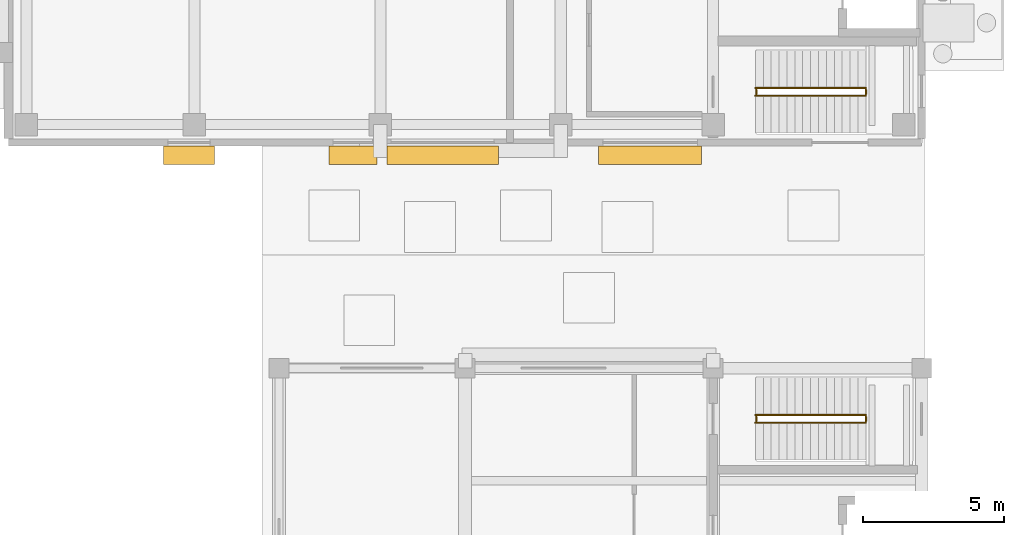
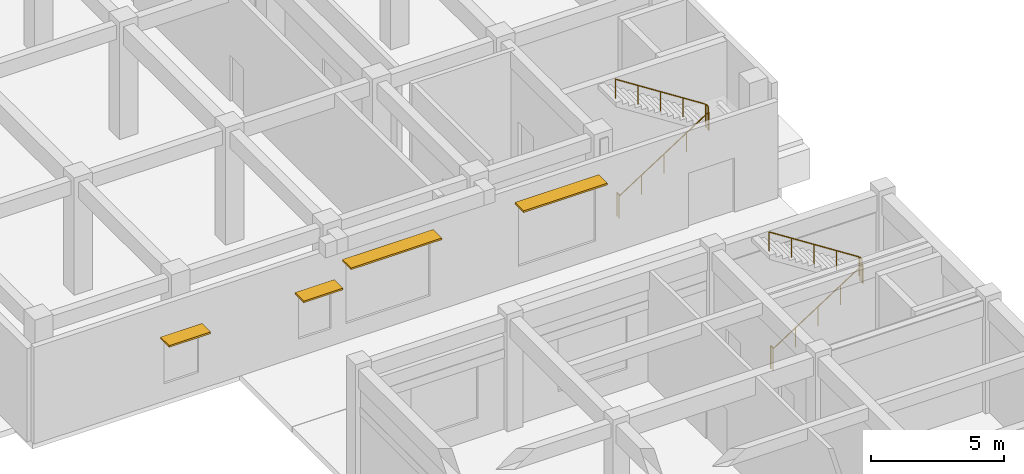
# One storey, part 45 of 46: 8 railings, 4 shading devices.
"""IFC4 building model written with IfcOpenShell, lengths in metres."""

import ifcopenshell
import ifcopenshell.guid

model = None  # the IFC model being written
_history = None  # IfcOwnerHistory: only IFC2X3 demands one
_inside = {}  # id of a spatial element -> (the spatial element, [elements in it])
_under = {}  # id of a project, library or spatial element -> (it, [spatial elements below it])
_declared = {}  # id of a project -> (the project, [libraries it declares])
_typed = {}  # id of a type object -> (the type object, [elements of that type])
_made_of = {}  # id of a material, layer set ... -> (it, [elements and type objects made of it])


def new_model(schema):
    """Start an empty IFC model of exactly this schema.

    Asked for "IFC4X3", IfcOpenShell would pick the latest addendum, in which some entities
    have other attributes; the version numbers below select the first issue.
    IFC2X3 requires an IfcOwnerHistory on every rooted entity: one is made here for all.
    """
    global model, _history
    if schema == "IFC4X3":
        model = ifcopenshell.file(schema_version=(4, 3, 0, 0))
    else:
        model = ifcopenshell.file(schema=schema)
    _inside.clear()
    _under.clear()
    _declared.clear()
    _typed.clear()
    _made_of.clear()
    _history = None
    if model.schema == "IFC2X3":
        org = make("IfcOrganization", Name="unknown")
        user = make(
            "IfcPersonAndOrganization",
            ThePerson=make("IfcPerson", FamilyName="unknown"),
            TheOrganization=org,
        )
        app = make(
            "IfcApplication",
            ApplicationDeveloper=org,
            Version="unknown",
            ApplicationFullName="unknown",
            ApplicationIdentifier="unknown",
        )
        _history = make(
            "IfcOwnerHistory",
            OwningUser=user,
            OwningApplication=app,
            ChangeAction="ADDED",
            CreationDate=0,
        )
    return model


def make(cls, **values):
    """One entity of the class cls with the attributes given. An attribute that is None is left unset."""
    return model.create_entity(
        cls, **{name: value for name, value in values.items() if value is not None}
    )


def rooted(cls, **values):
    """An entity with a GlobalId (a new one), such as an element, a storey or a relation."""
    return make(cls, GlobalId=ifcopenshell.guid.new(), OwnerHistory=_history, **values)


def si_unit(unit_type, name, prefix=None):
    """IfcSIUnit, for example si_unit("LENGTHUNIT", "METRE", prefix="MILLI")."""
    return make("IfcSIUnit", UnitType=unit_type, Prefix=prefix, Name=name)


def assignment(units):
    """IfcUnitAssignment: the units of a project."""
    return None if units is None else make("IfcUnitAssignment", Units=units)


def point(xyz):
    """IfcCartesianPoint."""
    return None if xyz is None else make("IfcCartesianPoint", Coordinates=xyz)


def direction(xyz):
    """IfcDirection."""
    return None if xyz is None else make("IfcDirection", DirectionRatios=xyz)


def frame(location, z_axis=None, x_axis=None):
    """IfcAxis2Placement3D, a coordinate frame: its origin and axes. An axis left out is left unset."""
    return make(
        "IfcAxis2Placement3D",
        Location=point(location),
        Axis=direction(z_axis),
        RefDirection=direction(x_axis),
    )


def frame_2d(location, x_axis=None):
    """IfcAxis2Placement2D, a coordinate frame in the plane: its origin and x axis."""
    return make(
        "IfcAxis2Placement2D", Location=point(location), RefDirection=direction(x_axis)
    )


def origin():
    """The frame at (0, 0, 0) with its axes left unset."""
    return frame((0.0, 0.0, 0.0))


def origin_2d():
    """The frame at (0, 0) in the plane with its x axis left unset."""
    return frame_2d((0.0, 0.0))


def place(relative_to, where):
    """IfcLocalPlacement: puts the frame where relative to a parent placement (None: the world)."""
    return make(
        "IfcLocalPlacement", PlacementRelTo=relative_to, RelativePlacement=where
    )


def context(
    kind, dimensions, precision=None, world=None, true_north=None, identifier=None
):
    """IfcGeometricRepresentationContext, for example the 3D "Model" context."""
    return make(
        "IfcGeometricRepresentationContext",
        ContextIdentifier=identifier,
        ContextType=kind,
        CoordinateSpaceDimension=dimensions,
        Precision=precision,
        WorldCoordinateSystem=world,
        TrueNorth=true_north,
    )


def subcontext(parent, identifier, kind, view, scale=None):
    """IfcGeometricRepresentationSubContext, for example "Body" below "Model"."""
    return make(
        "IfcGeometricRepresentationSubContext",
        ContextIdentifier=identifier,
        ContextType=kind,
        ParentContext=parent,
        TargetScale=scale,
        TargetView=view,
    )


def project(units=None, contexts=None):
    """IfcProject with its units and contexts."""
    return rooted(
        "IfcProject",
        Name="project",
        RepresentationContexts=contexts,
        UnitsInContext=assignment(units),
    )


def spatial(cls, under=None, at=None, **own):
    """A site, building, storey or space (cls), placed at a placement, below another one or the project."""
    s = rooted(cls, ObjectPlacement=at, **own)
    if under is not None:
        _under.setdefault(under.id(), (under, []))[1].append(s)
    return s


def profile(cls, at=None, kind="AREA", **sizes):
    """A parametric profile (cls). Its sizes go by their IFC names, for example OverallWidth=200.0."""
    return make(cls, ProfileType=kind, Position=at, **sizes)


def rectangle(**sizes):
    """IfcRectangleProfileDef."""
    return profile("IfcRectangleProfileDef", **sizes)


def circle(**sizes):
    """IfcCircleProfileDef."""
    return profile("IfcCircleProfileDef", **sizes)


def extrude(swept, where, along, depth):
    """IfcExtrudedAreaSolid: the profile swept, set in the frame where, extruded along a direction by depth."""
    return make(
        "IfcExtrudedAreaSolid",
        SweptArea=swept,
        Position=where,
        ExtrudedDirection=direction(along),
        Depth=depth,
    )


def shape(context_of_items, identifier, shape_type, items):
    """IfcShapeRepresentation: the items that make up one representation, for example the "Body"."""
    return make(
        "IfcShapeRepresentation",
        ContextOfItems=context_of_items,
        RepresentationIdentifier=identifier,
        RepresentationType=shape_type,
        Items=items,
    )


def material(Name=None, Category=None):
    """IfcMaterial."""
    return make("IfcMaterial", Name=Name, Category=Category)


def made_of(thing, what):
    """Note that an element or type object is made of a material, layer set ...; save() writes the relation."""
    if what is not None:
        _made_of.setdefault(what.id(), (what, []))[1].append(thing)
    return thing


def type_object(cls, material=None, **own):
    """A type object (cls), such as IfcWallType, which elements share."""
    return made_of(rooted(cls, **own), material)


def element(
    cls,
    number,
    at=None,
    inside=None,
    cuts=None,
    type_object=None,
    material=None,
    context=None,
    identifier="Body",
    shape_type=None,
    held_by="IfcProductDefinitionShape",
    body=None,
    shapes=None,
    **own,
):
    """One element of the class cls, such as IfcWall. Its Tag is "e" and its number.

    at: its placement. inside: the storey or other place that contains it. cuts: it is an
    opening in that element (IfcRelVoidsElement). A single representation is given by context,
    identifier, shape_type and body (its items); several are given by shapes. held_by: the class
    of the entity that holds the representations. save() writes the other relations.
    """
    e = rooted(cls, Tag="e%d" % number, ObjectPlacement=at, **own)
    if body is not None:
        shapes = [shape(context, identifier, shape_type, body)]
    if shapes is not None:
        e.Representation = make(held_by, Representations=shapes)
    if inside is not None:
        _inside.setdefault(inside.id(), (inside, []))[1].append(e)
    if cuts is not None:
        rooted(
            "IfcRelVoidsElement", RelatingBuildingElement=cuts, RelatedOpeningElement=e
        )
    if type_object is not None:
        _typed.setdefault(type_object.id(), (type_object, []))[1].append(e)
    return made_of(e, material)


def aggregate(whole, parts):
    """IfcRelAggregates: a whole, such as a stair, and the parts it consists of."""
    return rooted("IfcRelAggregates", RelatingObject=whole, RelatedObjects=parts)


def save(model, path):
    """Write the relations noted so far, then the file.

    IfcRelAggregates (storeys below a building ...), IfcRelContainedInSpatialStructure (elements
    in a storey), IfcRelDefinesByType, IfcRelAssociatesMaterial and IfcRelDeclares: one each for
    every whole, place, type object, material and project.
    """
    for whole, parts in _under.values():
        aggregate(whole, parts)
    for where, things in _inside.values():
        rooted(
            "IfcRelContainedInSpatialStructure",
            RelatedElements=things,
            RelatingStructure=where,
        )
    for kind, things in _typed.values():
        rooted("IfcRelDefinesByType", RelatedObjects=things, RelatingType=kind)
    for what, things in _made_of.values():
        rooted("IfcRelAssociatesMaterial", RelatedObjects=things, RelatingMaterial=what)
    for by, libraries in _declared.values():
        rooted("IfcRelDeclares", RelatingContext=by, RelatedDefinitions=libraries)
    model.write(path)


model = new_model("IFC4")

# Units and contexts
model_context = context("Model", 3, precision=1e-05, world=origin(), true_north=direction((0.0, 1.0)))
body_context = subcontext(model_context, "Body", "Model", "MODEL_VIEW")
ifc_project = project(units=[si_unit("LENGTHUNIT", "METRE"), si_unit("AREAUNIT", "SQUARE_METRE"), si_unit("VOLUMEUNIT", "CUBIC_METRE"), si_unit("PLANEANGLEUNIT", "RADIAN"), si_unit("MASSUNIT", "GRAM", prefix="KILO")], contexts=[model_context])

# Site, building, storey
site_placement = place(None, origin())
site = spatial("IfcSite", under=ifc_project, at=site_placement, CompositionType="ELEMENT")
building_placement = place(site_placement, origin())
building = spatial("IfcBuilding", under=site, at=building_placement, Name="Cinchona Park Media Centre", CompositionType="ELEMENT")
storey_placement = place(building_placement, origin())
storey = spatial("IfcBuildingStorey", under=building, at=storey_placement, Name="L00", CompositionType="ELEMENT", Elevation=0.0)

# Railings
ifc_material_1 = material(Name="Painted Steel Stairwell Guardrail", Category="steel")
railing_type_1 = type_object("IfcRailingType", Name="RAILING-GR02", PredefinedType="GUARDRAIL", material=ifc_material_1)
for number, where, name in (
    (1, (166.135009765625, 73.320068359375, 0.0), "Stairwell Guardrail GR02 ST1 L00"),
    (2, (170.02001953125, 73.320068359375, 2.699951171875), "Half-Landing Guardrail GR02 ST1 L00"),
    (3, (166.135009765625, 61.719970703125, 0.0), "Stairwell Guardrail GR02 ST7 L00"),
    (4, (170.02001953125, 61.719970703125, 2.699951171875), "Half-Landing Guardrail GR02 ST7 L00"),
):
    element("IfcRailing", number, at=place(storey_placement, frame(where)), inside=storey, type_object=railing_type_1, Name=name, PredefinedType="GUARDRAIL", context=body_context, shape_type="SweptSolid", body=[
        extrude(circle(Radius=0.02392578125, at=origin_2d()), frame((0.0, 0.0, 1.076171875), z_axis=(0.0, 1.0, 0.0), x_axis=(-1.0, 0.0, 0.0)), (0.0, 0.0, 1.0), 0.159912109375),
        extrude(circle(Radius=0.02099609375, at=origin_2d()), origin(), (0.0, 0.0, 1.0), 1.052001953125),
        extrude(circle(Radius=0.02099609375, at=origin_2d()), frame((0.0, 0.159912109375, 0.0)), (0.0, 0.0, 1.0), 1.052001953125),
    ])
ifc_material_2 = material(Name="Brushed Stainless Steel Handrail", Category="steel")
railing_type_2 = type_object("IfcRailingType", Name="RAILING-HR01", PredefinedType="HANDRAIL", material=ifc_material_2)
railing_1_placement = place(storey_placement, frame((166.10009765625, 73.260009765625, 0.179931640625)))
element("IfcRailing", 5, at=railing_1_placement, inside=storey, type_object=railing_type_2, Name="Stair Handrail HR01 ST1 L00 F1", PredefinedType="HANDRAIL", context=body_context, shape_type="SweptSolid", body=[
    extrude(circle(Radius=0.02392578125, at=origin_2d()), frame((0.0, 0.0, 0.8759765625), z_axis=(0.841171666519, 0.0, 0.540768182723), x_axis=(0.0, 1.0, 0.0)), (0.0, 0.0, 1.0), 4.66015625),
    extrude(circle(Radius=0.02099609375, at=origin_2d()), origin(), (0.0, 0.0, 1.0), 0.851806640625),
    extrude(circle(Radius=0.02099609375, at=origin_2d()), frame((0.97998046875, 0.0, 0.6298828125)), (0.0, 0.0, 1.0), 0.851806640625),
    extrude(circle(Radius=0.02099609375, at=origin_2d()), frame((1.9599609375, 0.0, 1.260009765625)), (0.0, 0.0, 1.0), 0.851806640625),
    extrude(circle(Radius=0.02099609375, at=origin_2d()), frame((2.93994140625, 0.0, 1.89013671875)), (0.0, 0.0, 1.0), 0.851806640625),
    extrude(circle(Radius=0.02099609375, at=origin_2d()), frame((3.919921875, 0.0, 2.52001953125)), (0.0, 0.0, 1.0), 0.851806640625),
])
railing_2_placement = place(storey_placement, frame((170.02001953125, 73.5400390625, 2.8798828125)))
element("IfcRailing", 6, at=railing_2_placement, inside=storey, type_object=railing_type_2, Name="Stair Handrail HR01 ST1 L00 F2", PredefinedType="HANDRAIL", context=body_context, shape_type="SweptSolid", body=[
    extrude(circle(Radius=0.02392578125, at=origin_2d()), frame((0.0, 0.0, 0.8759765625), z_axis=(-0.841171666519, 0.0, 0.540768182723), x_axis=(0.0, -1.0, 0.0)), (0.0, 0.0, 1.0), 4.66015625),
    extrude(circle(Radius=0.02099609375, at=origin_2d()), origin(), (0.0, 0.0, 1.0), 0.851806640625),
    extrude(circle(Radius=0.02099609375, at=origin_2d()), frame((-0.97998046875, 0.0, 0.6298828125)), (0.0, 0.0, 1.0), 0.851806640625),
    extrude(circle(Radius=0.02099609375, at=origin_2d()), frame((-1.9599609375, 0.0, 1.260009765625)), (0.0, 0.0, 1.0), 0.851806640625),
    extrude(circle(Radius=0.02099609375, at=origin_2d()), frame((-2.93994140625, 0.0, 1.89013671875)), (0.0, 0.0, 1.0), 0.851806640625),
    extrude(circle(Radius=0.02099609375, at=origin_2d()), frame((-3.919921875, 0.0, 2.52001953125)), (0.0, 0.0, 1.0), 0.851806640625),
])
railing_3_placement = place(storey_placement, frame((166.10009765625, 61.659912109375, 0.179931640625)))
element("IfcRailing", 7, at=railing_3_placement, inside=storey, type_object=railing_type_2, Name="Stair Handrail HR01 ST7 L00 F1", PredefinedType="HANDRAIL", context=body_context, shape_type="SweptSolid", body=[
    extrude(circle(Radius=0.02392578125, at=origin_2d()), frame((0.0, 0.0, 0.8759765625), z_axis=(0.841171666519, 0.0, 0.540768182723), x_axis=(0.0, 1.0, 0.0)), (0.0, 0.0, 1.0), 4.66015625),
    extrude(circle(Radius=0.02099609375, at=origin_2d()), origin(), (0.0, 0.0, 1.0), 0.851806640625),
    extrude(circle(Radius=0.02099609375, at=origin_2d()), frame((0.97998046875, 0.0, 0.6298828125)), (0.0, 0.0, 1.0), 0.851806640625),
    extrude(circle(Radius=0.02099609375, at=origin_2d()), frame((1.9599609375, 0.0, 1.260009765625)), (0.0, 0.0, 1.0), 0.851806640625),
    extrude(circle(Radius=0.02099609375, at=origin_2d()), frame((2.93994140625, 0.0, 1.89013671875)), (0.0, 0.0, 1.0), 0.851806640625),
    extrude(circle(Radius=0.02099609375, at=origin_2d()), frame((3.919921875, 0.0, 2.52001953125)), (0.0, 0.0, 1.0), 0.851806640625),
])
railing_4_placement = place(storey_placement, frame((170.02001953125, 61.93994140625, 2.8798828125)))
element("IfcRailing", 8, at=railing_4_placement, inside=storey, type_object=railing_type_2, Name="Stair Handrail HR01 ST7 L00 F2", PredefinedType="HANDRAIL", context=body_context, shape_type="SweptSolid", body=[
    extrude(circle(Radius=0.02392578125, at=origin_2d()), frame((0.0, 0.0, 0.8759765625), z_axis=(-0.841171666519, 0.0, 0.540768182723), x_axis=(0.0, -1.0, 0.0)), (0.0, 0.0, 1.0), 4.66015625),
    extrude(circle(Radius=0.02099609375, at=origin_2d()), origin(), (0.0, 0.0, 1.0), 0.851806640625),
    extrude(circle(Radius=0.02099609375, at=origin_2d()), frame((-0.97998046875, 0.0, 0.6298828125)), (0.0, 0.0, 1.0), 0.851806640625),
    extrude(circle(Radius=0.02099609375, at=origin_2d()), frame((-1.9599609375, 0.0, 1.260009765625)), (0.0, 0.0, 1.0), 0.851806640625),
    extrude(circle(Radius=0.02099609375, at=origin_2d()), frame((-2.93994140625, 0.0, 1.89013671875)), (0.0, 0.0, 1.0), 0.851806640625),
    extrude(circle(Radius=0.02099609375, at=origin_2d()), frame((-3.919921875, 0.0, 2.52001953125)), (0.0, 0.0, 1.0), 0.851806640625),
])

# Shading devices
ifc_material_3 = material(Name="Anodised Aluminium Horizontal Brise-Soleil", Category="aluminium")
shading_device_type = type_object("IfcShadingDeviceType", Name="SHADING-SUN01", PredefinedType="AWNING", material=ifc_material_3)
shading_device_1_placement = place(storey_placement, frame((162.364990234375, 71.155029296875, 3.719970703125), z_axis=(0.0, 0.0, 1.0), x_axis=(-1.0, 0.0, 0.0)))
element("IfcShadingDevice", 9, at=shading_device_1_placement, inside=storey, type_object=shading_device_type, Name="Horizontal Sunshade SHD02 L00", PredefinedType="AWNING", context=body_context, shape_type="SweptSolid", body=[
    extrude(rectangle(XDim=3.64990234375, YDim=0.64990234375, at=origin_2d()), origin(), (0.0, 0.0, 1.0), 0.080078125),
])
shading_device_2_placement = place(storey_placement, frame((155.0048828125, 71.155029296875, 3.719970703125), z_axis=(0.0, 0.0, 1.0), x_axis=(-1.0, 0.0, 0.0)))
element("IfcShadingDevice", 10, at=shading_device_2_placement, inside=storey, type_object=shading_device_type, Name="Horizontal Sunshade SHD02 L00", PredefinedType="AWNING", context=body_context, shape_type="SweptSolid", body=[
    extrude(rectangle(XDim=3.949951171875, YDim=0.64990234375, at=origin_2d()), origin(), (0.0, 0.0, 1.0), 0.080078125),
])
shading_device_3_placement = place(storey_placement, frame((151.820068359375, 71.155029296875, 2.919921875), z_axis=(0.0, 0.0, 1.0), x_axis=(-1.0, 0.0, 0.0)))
element("IfcShadingDevice", 11, at=shading_device_3_placement, inside=storey, type_object=shading_device_type, Name="Horizontal Sunshade SHD02 L00", PredefinedType="AWNING", context=body_context, shape_type="SweptSolid", body=[
    extrude(rectangle(XDim=1.699951171875, YDim=0.64990234375, at=origin_2d()), origin(), (0.0, 0.0, 1.0), 0.080078125),
])
shading_device_4_placement = place(storey_placement, frame((146.010009765625, 71.155029296875, 2.919921875), z_axis=(0.0, 0.0, 1.0), x_axis=(-1.0, 0.0, 0.0)))
element("IfcShadingDevice", 12, at=shading_device_4_placement, inside=storey, type_object=shading_device_type, Name="Horizontal Sunshade SHD02 L00", PredefinedType="AWNING", context=body_context, shape_type="SweptSolid", body=[
    extrude(rectangle(XDim=1.800048828125, YDim=0.64990234375, at=origin_2d()), origin(), (0.0, 0.0, 1.0), 0.080078125),
])

save(model, "model.ifc")
